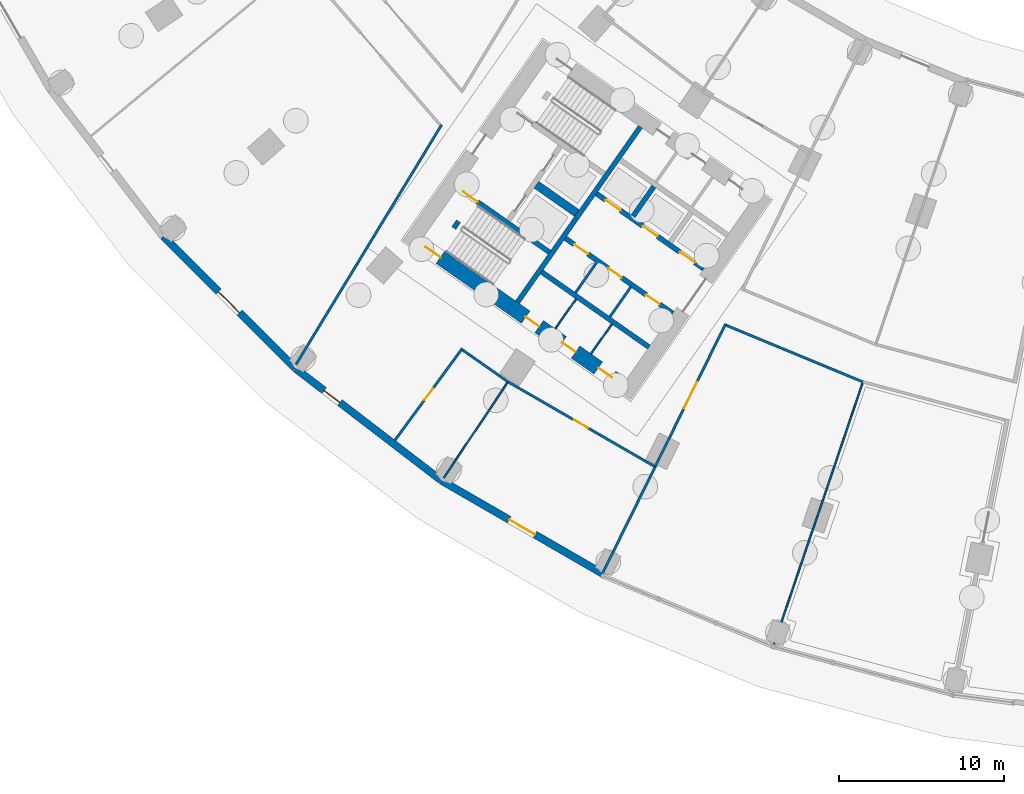
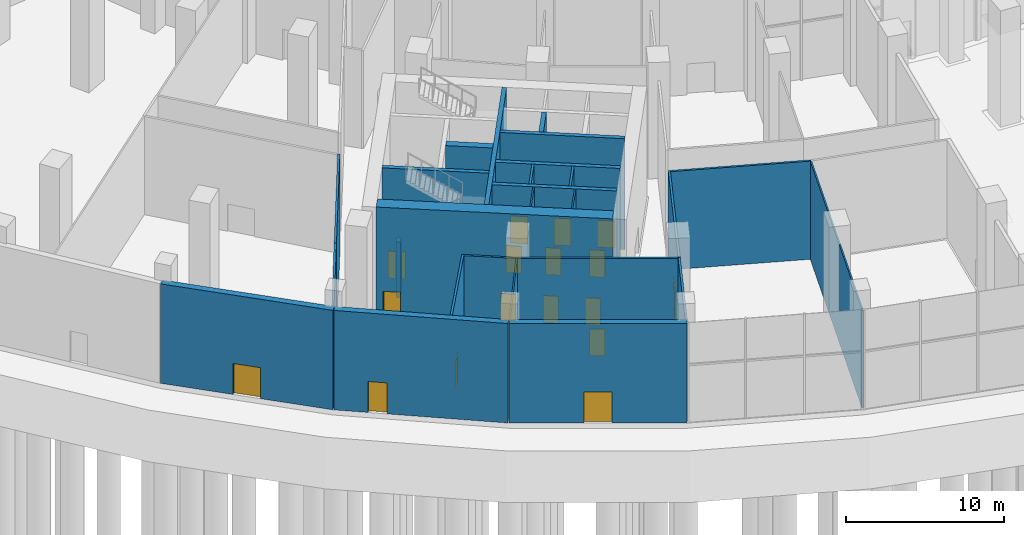
# One storey, part 4 of 23: 26 walls, 17 doors, 17 openings.
"""IFC4 building model written with IfcOpenShell, lengths in metres."""

import ifcopenshell
import ifcopenshell.guid

model = None  # the IFC model being written
_history = None  # IfcOwnerHistory: only IFC2X3 demands one
_inside = {}  # id of a spatial element -> (the spatial element, [elements in it])
_under = {}  # id of a project, library or spatial element -> (it, [spatial elements below it])
_declared = {}  # id of a project -> (the project, [libraries it declares])
_typed = {}  # id of a type object -> (the type object, [elements of that type])
_made_of = {}  # id of a material, layer set ... -> (it, [elements and type objects made of it])


def new_model(schema):
    """Start an empty IFC model of exactly this schema.

    Asked for "IFC4X3", IfcOpenShell would pick the latest addendum, in which some entities
    have other attributes; the version numbers below select the first issue.
    IFC2X3 requires an IfcOwnerHistory on every rooted entity: one is made here for all.
    """
    global model, _history
    if schema == "IFC4X3":
        model = ifcopenshell.file(schema_version=(4, 3, 0, 0))
    else:
        model = ifcopenshell.file(schema=schema)
    _inside.clear()
    _under.clear()
    _declared.clear()
    _typed.clear()
    _made_of.clear()
    _history = None
    if model.schema == "IFC2X3":
        org = make("IfcOrganization", Name="unknown")
        user = make(
            "IfcPersonAndOrganization",
            ThePerson=make("IfcPerson", FamilyName="unknown"),
            TheOrganization=org,
        )
        app = make(
            "IfcApplication",
            ApplicationDeveloper=org,
            Version="unknown",
            ApplicationFullName="unknown",
            ApplicationIdentifier="unknown",
        )
        _history = make(
            "IfcOwnerHistory",
            OwningUser=user,
            OwningApplication=app,
            ChangeAction="ADDED",
            CreationDate=0,
        )
    return model


def make(cls, **values):
    """One entity of the class cls with the attributes given. An attribute that is None is left unset."""
    return model.create_entity(
        cls, **{name: value for name, value in values.items() if value is not None}
    )


def rooted(cls, **values):
    """An entity with a GlobalId (a new one), such as an element, a storey or a relation."""
    return make(cls, GlobalId=ifcopenshell.guid.new(), OwnerHistory=_history, **values)


def si_unit(unit_type, name, prefix=None):
    """IfcSIUnit, for example si_unit("LENGTHUNIT", "METRE", prefix="MILLI")."""
    return make("IfcSIUnit", UnitType=unit_type, Prefix=prefix, Name=name)


def assignment(units):
    """IfcUnitAssignment: the units of a project."""
    return None if units is None else make("IfcUnitAssignment", Units=units)


def point(xyz):
    """IfcCartesianPoint."""
    return None if xyz is None else make("IfcCartesianPoint", Coordinates=xyz)


def direction(xyz):
    """IfcDirection."""
    return None if xyz is None else make("IfcDirection", DirectionRatios=xyz)


def frame(location, z_axis=None, x_axis=None):
    """IfcAxis2Placement3D, a coordinate frame: its origin and axes. An axis left out is left unset."""
    return make(
        "IfcAxis2Placement3D",
        Location=point(location),
        Axis=direction(z_axis),
        RefDirection=direction(x_axis),
    )


def frame_2d(location, x_axis=None):
    """IfcAxis2Placement2D, a coordinate frame in the plane: its origin and x axis."""
    return make(
        "IfcAxis2Placement2D", Location=point(location), RefDirection=direction(x_axis)
    )


def origin():
    """The frame at (0, 0, 0) with its axes left unset."""
    return frame((0.0, 0.0, 0.0))


def place(relative_to, where):
    """IfcLocalPlacement: puts the frame where relative to a parent placement (None: the world)."""
    return make(
        "IfcLocalPlacement", PlacementRelTo=relative_to, RelativePlacement=where
    )


def context(
    kind, dimensions, precision=None, world=None, true_north=None, identifier=None
):
    """IfcGeometricRepresentationContext, for example the 3D "Model" context."""
    return make(
        "IfcGeometricRepresentationContext",
        ContextIdentifier=identifier,
        ContextType=kind,
        CoordinateSpaceDimension=dimensions,
        Precision=precision,
        WorldCoordinateSystem=world,
        TrueNorth=true_north,
    )


def subcontext(parent, identifier, kind, view, scale=None):
    """IfcGeometricRepresentationSubContext, for example "Body" below "Model"."""
    return make(
        "IfcGeometricRepresentationSubContext",
        ContextIdentifier=identifier,
        ContextType=kind,
        ParentContext=parent,
        TargetScale=scale,
        TargetView=view,
    )


def project(units=None, contexts=None):
    """IfcProject with its units and contexts."""
    return rooted(
        "IfcProject",
        Name="project",
        RepresentationContexts=contexts,
        UnitsInContext=assignment(units),
    )


def spatial(cls, under=None, at=None, **own):
    """A site, building, storey or space (cls), placed at a placement, below another one or the project."""
    s = rooted(cls, ObjectPlacement=at, **own)
    if under is not None:
        _under.setdefault(under.id(), (under, []))[1].append(s)
    return s


def profile(cls, at=None, kind="AREA", **sizes):
    """A parametric profile (cls). Its sizes go by their IFC names, for example OverallWidth=200.0."""
    return make(cls, ProfileType=kind, Position=at, **sizes)


def rectangle(**sizes):
    """IfcRectangleProfileDef."""
    return profile("IfcRectangleProfileDef", **sizes)


def extrude(swept, where, along, depth):
    """IfcExtrudedAreaSolid: the profile swept, set in the frame where, extruded along a direction by depth."""
    return make(
        "IfcExtrudedAreaSolid",
        SweptArea=swept,
        Position=where,
        ExtrudedDirection=direction(along),
        Depth=depth,
    )


def shape(context_of_items, identifier, shape_type, items):
    """IfcShapeRepresentation: the items that make up one representation, for example the "Body"."""
    return make(
        "IfcShapeRepresentation",
        ContextOfItems=context_of_items,
        RepresentationIdentifier=identifier,
        RepresentationType=shape_type,
        Items=items,
    )


def material(Name=None, Category=None):
    """IfcMaterial."""
    return make("IfcMaterial", Name=Name, Category=Category)


def layer(
    of_material, thickness, ventilated=None, Name=None, Category=None, Priority=None
):
    """IfcMaterialLayer: one layer of a wall or slab, of a material (None: an air gap)."""
    return make(
        "IfcMaterialLayer",
        Material=of_material,
        LayerThickness=thickness,
        IsVentilated=ventilated,
        Name=Name,
        Category=Category,
        Priority=Priority,
    )


def layer_set(layers, Name=None):
    """IfcMaterialLayerSet."""
    return make("IfcMaterialLayerSet", MaterialLayers=layers, LayerSetName=Name)


def made_of(thing, what):
    """Note that an element or type object is made of a material, layer set ...; save() writes the relation."""
    if what is not None:
        _made_of.setdefault(what.id(), (what, []))[1].append(thing)
    return thing


def type_object(cls, material=None, **own):
    """A type object (cls), such as IfcWallType, which elements share."""
    return made_of(rooted(cls, **own), material)


def element(
    cls,
    number,
    at=None,
    inside=None,
    cuts=None,
    type_object=None,
    material=None,
    context=None,
    identifier="Body",
    shape_type=None,
    held_by="IfcProductDefinitionShape",
    body=None,
    shapes=None,
    **own,
):
    """One element of the class cls, such as IfcWall. Its Tag is "e" and its number.

    at: its placement. inside: the storey or other place that contains it. cuts: it is an
    opening in that element (IfcRelVoidsElement). A single representation is given by context,
    identifier, shape_type and body (its items); several are given by shapes. held_by: the class
    of the entity that holds the representations. save() writes the other relations.
    """
    e = rooted(cls, Tag="e%d" % number, ObjectPlacement=at, **own)
    if body is not None:
        shapes = [shape(context, identifier, shape_type, body)]
    if shapes is not None:
        e.Representation = make(held_by, Representations=shapes)
    if inside is not None:
        _inside.setdefault(inside.id(), (inside, []))[1].append(e)
    if cuts is not None:
        rooted(
            "IfcRelVoidsElement", RelatingBuildingElement=cuts, RelatedOpeningElement=e
        )
    if type_object is not None:
        _typed.setdefault(type_object.id(), (type_object, []))[1].append(e)
    return made_of(e, material)


def fill(opening, filler):
    """IfcRelFillsElement: the door or window that sits in an opening."""
    return rooted(
        "IfcRelFillsElement",
        RelatingOpeningElement=opening,
        RelatedBuildingElement=filler,
    )


def aggregate(whole, parts):
    """IfcRelAggregates: a whole, such as a stair, and the parts it consists of."""
    return rooted("IfcRelAggregates", RelatingObject=whole, RelatedObjects=parts)


def save(model, path):
    """Write the relations noted so far, then the file.

    IfcRelAggregates (storeys below a building ...), IfcRelContainedInSpatialStructure (elements
    in a storey), IfcRelDefinesByType, IfcRelAssociatesMaterial and IfcRelDeclares: one each for
    every whole, place, type object, material and project.
    """
    for whole, parts in _under.values():
        aggregate(whole, parts)
    for where, things in _inside.values():
        rooted(
            "IfcRelContainedInSpatialStructure",
            RelatedElements=things,
            RelatingStructure=where,
        )
    for kind, things in _typed.values():
        rooted("IfcRelDefinesByType", RelatedObjects=things, RelatingType=kind)
    for what, things in _made_of.values():
        rooted("IfcRelAssociatesMaterial", RelatedObjects=things, RelatingMaterial=what)
    for by, libraries in _declared.values():
        rooted("IfcRelDeclares", RelatingContext=by, RelatedDefinitions=libraries)
    model.write(path)


model = new_model("IFC4")

# Units and contexts
model_context = context("Model", 3, precision=1e-05, world=origin(), true_north=direction((0.0, 1.0)))
body_context = subcontext(model_context, "Body", "Model", "MODEL_VIEW")
ifc_project = project(units=[si_unit("LENGTHUNIT", "METRE"), si_unit("AREAUNIT", "SQUARE_METRE"), si_unit("VOLUMEUNIT", "CUBIC_METRE"), si_unit("PLANEANGLEUNIT", "RADIAN"), si_unit("MASSUNIT", "GRAM", prefix="KILO")], contexts=[model_context])

# Site, building, storey
site_placement = place(None, origin())
site = spatial("IfcSite", under=ifc_project, at=site_placement, CompositionType="ELEMENT")
building_placement = place(site_placement, origin())
building = spatial("IfcBuilding", under=site, at=building_placement, Name="Qamariyya Broadcast Tower", CompositionType="ELEMENT")
storey_placement = place(building_placement, origin())
storey = spatial("IfcBuildingStorey", under=building, at=storey_placement, Name="L00", CompositionType="ELEMENT", Elevation=0.0)

# Wall, openings, doors
ifc_material_1 = material(Name="Concrete C70/85", Category="concrete")
ifc_layer_1 = layer(ifc_material_1, 0.89990234375)
ifc_layer_set_1 = layer_set([ifc_layer_1], Name="Core wall 900 mm Concrete C70/85")
wall_type_1 = type_object("IfcWallType", Name="Core wall 900 mm Concrete C70/85", PredefinedType="SHEAR", material=ifc_layer_set_1)
wall_1_placement = place(storey_placement, frame((-36.827392578125, -65.710205078125, 0.0), z_axis=(0.0, 0.0, 1.0), x_axis=(-0.819153391756, 0.573574511963, 0.0)))
wall_1 = element("IfcWall", 1, at=wall_1_placement, inside=storey, type_object=wall_type_1, Name="k-W-L00-WO", PredefinedType="SHEAR", context=body_context, shape_type="SweptSolid", body=[
    extrude(rectangle(XDim=15.04541015625, YDim=0.89990234375, at=frame_2d((7.522705078125, 0.0))), origin(), (0.0, 0.0, 1.0), 8.60009765625),
])
opening_1_placement = place(wall_1_placement, frame((0.800048828125, 0.0, 0.0)))
opening_1 = element("IfcOpeningElement", 2, at=opening_1_placement, cuts=wall_1, Name="Opening KD4-W2", PredefinedType="OPENING", context=body_context, shape_type="SweptSolid", body=[
    extrude(rectangle(XDim=1.0, YDim=2.10009765625, at=frame_2d((0.5, 1.050048828125))), frame((0.0, 0.4599609375, 0.0), z_axis=(0.0, -1.0, 0.0), x_axis=(1.0, 0.0, 0.0)), (0.0, 0.0, 1.0), 0.919921875),
])
opening_2_placement = place(wall_1_placement, frame((3.47509765625, 0.0, 0.0)))
opening_2 = element("IfcOpeningElement", 3, at=opening_2_placement, cuts=wall_1, Name="Opening KD4-W3", PredefinedType="OPENING", context=body_context, shape_type="SweptSolid", body=[
    extrude(rectangle(XDim=1.0, YDim=2.10009765625, at=frame_2d((0.5, 1.050048828125))), frame((0.0, 0.4599609375, 0.0), z_axis=(0.0, -1.0, 0.0), x_axis=(1.0, 0.0, 0.0)), (0.0, 0.0, 1.0), 0.919921875),
])
opening_3_placement = place(wall_1_placement, frame((6.175048828125, 0.0, 0.0)))
opening_3 = element("IfcOpeningElement", 4, at=opening_3_placement, cuts=wall_1, Name="Opening KD4-W4", PredefinedType="OPENING", context=body_context, shape_type="SweptSolid", body=[
    extrude(rectangle(XDim=1.0, YDim=2.10009765625, at=frame_2d((0.5, 1.050048828125))), frame((0.0, 0.4599609375, 0.0), z_axis=(0.0, -1.0, 0.0), x_axis=(1.0, 0.0, 0.0)), (0.0, 0.0, 1.0), 0.919921875),
])
opening_4_placement = place(wall_1_placement, frame((13.495361328125, 0.0, 0.0)))
opening_4 = element("IfcOpeningElement", 5, at=opening_4_placement, cuts=wall_1, Name="Opening KD1-W3", PredefinedType="OPENING", context=body_context, shape_type="SweptSolid", body=[
    extrude(rectangle(XDim=1.10009765625, YDim=2.10009765625, at=frame_2d((0.550048828125, 1.050048828125))), frame((0.0, 0.4599609375, 0.0), z_axis=(0.0, -1.0, 0.0), x_axis=(1.0, 0.0, 0.0)), (0.0, 0.0, 1.0), 0.919921875),
])
ifc_material_2 = material(Name="Steel fire-resisting door leaf", Category="steel")
door_type_1 = type_object("IfcDoorType", Name="Riser and plant door KD4", OperationType="SINGLE_SWING_LEFT", PredefinedType="DOOR", material=ifc_material_2)
door_1_placement = place(opening_1_placement, origin())
door_1 = element("IfcDoor", 6, at=door_1_placement, inside=storey, type_object=door_type_1, Name="k-W-L00-WO-D11", OperationType="SINGLE_SWING_RIGHT", OverallHeight=2.10009765625, OverallWidth=1.0, PredefinedType="DOOR", context=body_context, shape_type="SweptSolid", body=[
    extrude(rectangle(XDim=1.0, YDim=2.10009765625, at=frame_2d((0.5, 1.050048828125))), frame((0.0, 0.02490234375, 0.0), z_axis=(0.0, -1.0, 0.0), x_axis=(1.0, 0.0, 0.0)), (0.0, 0.0, 1.0), 0.050048828125),
])
fill(opening_1, door_1)
door_2_placement = place(opening_2_placement, origin())
door_2 = element("IfcDoor", 7, at=door_2_placement, inside=storey, type_object=door_type_1, Name="k-W-L00-WO-D12", OperationType="SINGLE_SWING_LEFT", OverallHeight=2.10009765625, OverallWidth=1.0, PredefinedType="DOOR", context=body_context, shape_type="SweptSolid", body=[
    extrude(rectangle(XDim=1.0, YDim=2.10009765625, at=frame_2d((0.5, 1.050048828125))), frame((0.0, 0.02490234375, 0.0), z_axis=(0.0, -1.0, 0.0), x_axis=(1.0, 0.0, 0.0)), (0.0, 0.0, 1.0), 0.050048828125),
])
fill(opening_2, door_2)
door_3_placement = place(opening_3_placement, origin())
door_3 = element("IfcDoor", 8, at=door_3_placement, inside=storey, type_object=door_type_1, Name="k-W-L00-WO-D13", OperationType="SINGLE_SWING_RIGHT", OverallHeight=2.10009765625, OverallWidth=1.0, PredefinedType="DOOR", context=body_context, shape_type="SweptSolid", body=[
    extrude(rectangle(XDim=1.0, YDim=2.10009765625, at=frame_2d((0.5, 1.050048828125))), frame((0.0, 0.02490234375, 0.0), z_axis=(0.0, -1.0, 0.0), x_axis=(1.0, 0.0, 0.0)), (0.0, 0.0, 1.0), 0.050048828125),
])
fill(opening_3, door_3)
door_type_2 = type_object("IfcDoorType", Name="Stair door KD1", OperationType="SINGLE_SWING_LEFT", PredefinedType="DOOR", material=ifc_material_2)
door_4_placement = place(opening_4_placement, origin())
door_4 = element("IfcDoor", 9, at=door_4_placement, inside=storey, type_object=door_type_2, Name="k-W-L00-WO-D19", OperationType="SINGLE_SWING_LEFT", OverallHeight=2.10009765625, OverallWidth=1.10009765625, PredefinedType="DOOR", context=body_context, shape_type="SweptSolid", body=[
    extrude(rectangle(XDim=1.10009765625, YDim=2.10009765625, at=frame_2d((0.550048828125, 1.050048828125))), frame((0.0, 0.02490234375, 0.0), z_axis=(0.0, -1.0, 0.0), x_axis=(1.0, 0.0, 0.0)), (0.0, 0.0, 1.0), 0.050048828125),
])
fill(opening_4, door_4)

# Wall
ifc_material_3 = material(Name="Gypsum board partition")
ifc_layer_2 = layer(ifc_material_3, 0.14990234375)
ifc_layer_set_2 = layer_set([ifc_layer_2], Name="Corridor partition 150 EI 60")
wall_type_2 = type_object("IfcWallType", Name="Corridor partition 150 EI 60", PredefinedType="PARTITIONING", material=ifc_layer_set_2)
wall_2_placement = place(storey_placement, frame((-52.937255859375, -58.374267578125, 0.0), z_axis=(0.0, 0.0, 1.0), x_axis=(-0.519165960752, -0.854673449451, 0.0)))
element("IfcWall", 10, at=wall_2_placement, inside=storey, type_object=wall_type_2, Name="Partition L00-004", PredefinedType="PARTITIONING", context=body_context, shape_type="SweptSolid", body=[
    extrude(rectangle(XDim=7.12255859375, YDim=0.14990234375, at=frame_2d((3.561279296875, 0.0))), origin(), (0.0, 0.0, 1.0), 7.60009765625),
])

# Wall, opening, door
wall_3_placement = place(storey_placement, frame((-46.549072265625, -63.488525390625, 0.0), z_axis=(0.0, 0.0, 1.0), x_axis=(-0.591288618584, -0.806460023518, 0.0)))
wall_3 = element("IfcWall", 11, at=wall_3_placement, inside=storey, type_object=wall_type_2, Name="Partition L00-005", PredefinedType="PARTITIONING", context=body_context, shape_type="SweptSolid", body=[
    extrude(rectangle(XDim=6.9111328125, YDim=0.14990234375, at=frame_2d((3.45556640625, 0.0))), origin(), (0.0, 0.0, 1.0), 7.60009765625),
])
opening_5_placement = place(wall_3_placement, frame((3.00537109375, 0.0, 0.0)))
opening_5 = element("IfcOpeningElement", 12, at=opening_5_placement, cuts=wall_3, Name="Opening L00-D11", PredefinedType="OPENING", context=body_context, shape_type="SweptSolid", body=[
    extrude(rectangle(XDim=0.89990234375, YDim=2.10009765625, at=frame_2d((0.449951171875, 1.050048828125))), frame((0.0, 0.0849609375, 0.0), z_axis=(0.0, -1.0, 0.0), x_axis=(1.0, 0.0, 0.0)), (0.0, 0.0, 1.0), 0.169921875),
])
ifc_material_4 = material(Name="Timber fire door leaf", Category="wood")
door_type_3 = type_object("IfcDoorType", Name="Fire door 900 x 2100 FD60", OperationType="NOTDEFINED", PredefinedType="DOOR", material=ifc_material_4)
door_5_placement = place(opening_5_placement, origin())
door_5 = element("IfcDoor", 13, at=door_5_placement, inside=storey, type_object=door_type_3, Name="Door L00-D11", OperationType="SINGLE_SWING_RIGHT", OverallHeight=2.10009765625, OverallWidth=0.89990234375, PredefinedType="DOOR", context=body_context, shape_type="SweptSolid", body=[
    extrude(rectangle(XDim=0.89990234375, YDim=2.10009765625, at=frame_2d((0.449951171875, 1.050048828125))), frame((0.0, 0.02490234375, 0.0), z_axis=(0.0, -1.0, 0.0), x_axis=(1.0, 0.0, 0.0)), (0.0, 0.0, 1.0), 0.050048828125),
])
fill(opening_5, door_5)

# Walls
wall_4_placement = place(storey_placement, frame((-47.8076171875, -49.929443359375, 0.0), z_axis=(0.0, 0.0, 1.0), x_axis=(-0.51915296508, -0.854681343454, 0.0)))
element("IfcWall", 14, at=wall_4_placement, inside=storey, type_object=wall_type_2, Name="Partition L00-008", PredefinedType="PARTITIONING", context=body_context, shape_type="SweptSolid", body=[
    extrude(rectangle(XDim=9.874755859375, YDim=0.14990234375, at=frame_2d((4.9375, 0.0))), origin(), (0.0, 0.0, 1.0), 7.60009765625),
])
wall_5_placement = place(storey_placement, frame((-46.531982421875, -63.592041015625, 0.0), z_axis=(0.0, 0.0, 1.0), x_axis=(0.819136350291, -0.573598849051, 0.0)))
element("IfcWall", 15, at=wall_5_placement, inside=storey, type_object=wall_type_2, Name="Partition L00-009", PredefinedType="PARTITIONING", context=body_context, shape_type="SweptSolid", body=[
    extrude(rectangle(XDim=3.36083984375, YDim=0.14990234375, at=frame_2d((1.680419921875, 0.0))), origin(), (0.0, 0.0, 1.0), 7.60009765625),
])

# Wall, opening, door
wall_6_placement = place(storey_placement, frame((-34.917236328125, -70.635986328125, 0.0), z_axis=(0.0, 0.0, 1.0), x_axis=(-0.866032223049, 0.499988188501, 0.0)))
wall_6 = element("IfcWall", 16, at=wall_6_placement, inside=storey, type_object=wall_type_2, Name="Partition L00-011", PredefinedType="PARTITIONING", context=body_context, shape_type="SweptSolid", body=[
    extrude(rectangle(XDim=10.232666015625, YDim=0.14990234375, at=frame_2d((5.1162109375, 0.0))), origin(), (0.0, 0.0, 1.0), 7.60009765625),
])
opening_6_placement = place(wall_6_placement, frame((4.6162109375, 0.0, 0.0)))
opening_6 = element("IfcOpeningElement", 17, at=opening_6_placement, cuts=wall_6, Name="Opening L00-D12", PredefinedType="OPENING", context=body_context, shape_type="SweptSolid", body=[
    extrude(rectangle(XDim=1.0, YDim=2.10009765625, at=frame_2d((0.5, 1.050048828125))), frame((0.0, 0.0849609375, 0.0), z_axis=(0.0, -1.0, 0.0), x_axis=(1.0, 0.0, 0.0)), (0.0, 0.0, 1.0), 0.169921875),
])
door_type_4 = type_object("IfcDoorType", Name="Fire door 1000 x 2100 FD60", OperationType="NOTDEFINED", PredefinedType="DOOR", material=ifc_material_4)
door_6_placement = place(opening_6_placement, origin())
door_6 = element("IfcDoor", 18, at=door_6_placement, inside=storey, type_object=door_type_4, Name="Door L00-D12", OperationType="SINGLE_SWING_RIGHT", OverallHeight=2.10009765625, OverallWidth=1.0, PredefinedType="DOOR", context=body_context, shape_type="SweptSolid", body=[
    extrude(rectangle(XDim=1.0, YDim=2.10009765625, at=frame_2d((0.5, 1.050048828125))), frame((0.0, 0.02490234375, 0.0), z_axis=(0.0, -1.0, 0.0), x_axis=(1.0, 0.0, 0.0)), (0.0, 0.0, 1.0), 0.050048828125),
])
fill(opening_6, door_6)

# Wall
wall_7_placement = place(storey_placement, frame((-34.852294921875, -70.673583984375, 0.0), z_axis=(0.0, 0.0, 1.0), x_axis=(-0.442303616305, -0.896865380647, 0.0)))
element("IfcWall", 19, at=wall_7_placement, inside=storey, type_object=wall_type_2, Name="Partition L00-017", PredefinedType="PARTITIONING", context=body_context, shape_type="SweptSolid", body=[
    extrude(rectangle(XDim=7.249755859375, YDim=0.14990234375, at=frame_2d((3.625, 0.0))), origin(), (0.0, 0.0, 1.0), 7.60009765625),
])

# Wall, opening, door
wall_8_placement = place(storey_placement, frame((-30.5732421875, -61.996337890625, 0.0), z_axis=(0.0, 0.0, 1.0), x_axis=(-0.442281083907, -0.89687649251, 0.0)))
wall_8 = element("IfcWall", 20, at=wall_8_placement, inside=storey, type_object=wall_type_2, Name="Partition L00-020", PredefinedType="PARTITIONING", context=body_context, shape_type="SweptSolid", body=[
    extrude(rectangle(XDim=9.675048828125, YDim=0.14990234375, at=frame_2d((4.83740234375, 0.0))), origin(), (0.0, 0.0, 1.0), 7.60009765625),
])
opening_7_placement = place(wall_8_placement, frame((3.9375, 0.0, 0.0)))
opening_7 = element("IfcOpeningElement", 21, at=opening_7_placement, cuts=wall_8, Name="Opening L00-D01", PredefinedType="OPENING", context=body_context, shape_type="SweptSolid", body=[
    extrude(rectangle(XDim=1.800048828125, YDim=2.10009765625, at=frame_2d((0.89990234375, 1.050048828125))), frame((0.0, 0.0849609375, 0.0), z_axis=(0.0, -1.0, 0.0), x_axis=(1.0, 0.0, 0.0)), (0.0, 0.0, 1.0), 0.169921875),
])
door_type_5 = type_object("IfcDoorType", Name="Double fire door 1800 x 2100 FD60", OperationType="NOTDEFINED", PredefinedType="DOOR", material=ifc_material_4)
door_7_placement = place(opening_7_placement, origin())
door_7 = element("IfcDoor", 22, at=door_7_placement, inside=storey, type_object=door_type_5, Name="Door L00-D01", OperationType="DOUBLE_DOOR_SINGLE_SWING", OverallHeight=2.10009765625, OverallWidth=1.800048828125, PredefinedType="DOOR", context=body_context, shape_type="SweptSolid", body=[
    extrude(rectangle(XDim=1.800048828125, YDim=2.10009765625, at=frame_2d((0.89990234375, 1.050048828125))), frame((0.0, 0.02490234375, 0.0), z_axis=(0.0, -1.0, 0.0), x_axis=(1.0, 0.0, 0.0)), (0.0, 0.0, 1.0), 0.050048828125),
])
fill(opening_7, door_7)

# Walls
wall_9_placement = place(storey_placement, frame((-30.537109375, -62.09228515625, 0.0), z_axis=(0.0, 0.0, 1.0), x_axis=(0.923877943186, -0.382687269313, 0.0)))
element("IfcWall", 23, at=wall_9_placement, inside=storey, type_object=wall_type_2, Name="Partition L00-021", PredefinedType="PARTITIONING", context=body_context, shape_type="SweptSolid", body=[
    extrude(rectangle(XDim=8.976806640625, YDim=0.14990234375, at=frame_2d((4.48828125, 0.0))), origin(), (0.0, 0.0, 1.0), 7.60009765625),
])
ifc_material_5 = material(Name="Concrete C60/75", Category="concrete")
ifc_layer_3 = layer(ifc_material_5, 0.5)
ifc_layer_set_3 = layer_set([ifc_layer_3], Name="Fire-fighting lobby divider wall 500 mm Concrete C60/75")
wall_type_3 = type_object("IfcWallType", Name="Fire-fighting lobby divider wall 500 mm Concrete C60/75", PredefinedType="SOLIDWALL", material=ifc_layer_set_3)
wall_10_placement = place(storey_placement, frame((-39.59912109375, -55.28515625, 0.0), z_axis=(0.0, 0.0, 1.0), x_axis=(-0.819136323161, 0.573598887793, 0.0)))
element("IfcWall", 24, at=wall_10_placement, inside=storey, type_object=wall_type_3, Name="k-W-L00-FD", PredefinedType="SOLIDWALL", context=body_context, shape_type="SweptSolid", body=[
    extrude(rectangle(XDim=2.999755859375, YDim=0.5, at=frame_2d((1.5, 0.0))), origin(), (0.0, 0.0, 1.0), 8.60009765625),
])
ifc_material_6 = material(Name="Gypsum board partition on steel studs", Category="steel")
ifc_layer_4 = layer(ifc_material_6, 0.14990234375)
ifc_layer_set_4 = layer_set([ifc_layer_4], Name="Gypsum board partition 150 mm")
wall_type_4 = type_object("IfcWallType", Name="Gypsum board partition 150 mm", PredefinedType="PARTITIONING", material=ifc_layer_set_4)
for number, where, z_axis, x_axis, name in (
    (25, (-36.330810546875, -59.77099609375, 0.0), (0.0, 0.0, 1.0), (-0.573633636671, -0.819111989218, 0.0), "k-W-L00-SC300"),
    (26, (-38.419677734375, -58.308349609375, 0.0), (0.0, 0.0, 1.0), (-0.573633636671, -0.819111989218, 0.0), "k-W-L00-SC555"),
):
    element("IfcWall", number, at=place(storey_placement, frame(where, z_axis=z_axis, x_axis=x_axis)), inside=storey, type_object=wall_type_4, Name=name, PredefinedType="PARTITIONING", context=body_context, shape_type="SweptSolid", body=[
        extrude(rectangle(XDim=2.199951171875, YDim=0.14990234375, at=frame_2d((1.10009765625, 0.0))), origin(), (0.0, 0.0, 1.0), 8.60009765625),
    ])
ifc_layer_5 = layer(ifc_material_5, 0.300048828125)
ifc_layer_set_5 = layer_set([ifc_layer_5], Name="Lift shaft wall 300 mm Concrete C60/75")
wall_type_5 = type_object("IfcWallType", Name="Lift shaft wall 300 mm Concrete C60/75", PredefinedType="SOLIDWALL", material=ifc_layer_set_5)
wall_11_placement = place(storey_placement, frame((-43.204345703125, -60.69580078125, 0.0), z_axis=(0.0, 0.0, 1.0), x_axis=(0.573571992966, 0.819155155563, 0.0)))
element("IfcWall", 27, at=wall_11_placement, inside=storey, type_object=wall_type_5, Name="k-W-L00-WL", PredefinedType="SOLIDWALL", context=body_context, shape_type="SweptSolid", body=[
    extrude(rectangle(XDim=13.000244140625, YDim=0.300048828125, at=frame_2d((6.5, 0.0))), origin(), (0.0, 0.0, 1.0), 8.60009765625),
])

# Wall, openings, doors
wall_12_placement = place(storey_placement, frame((-31.89453125, -58.66552734375, 0.0), z_axis=(0.0, 0.0, 1.0), x_axis=(-0.819166993208, 0.573555086491, 0.0)))
wall_12 = element("IfcWall", 28, at=wall_12_placement, inside=storey, type_object=wall_type_5, Name="k-W-L00-NF0", PredefinedType="SOLIDWALL", context=body_context, shape_type="SweptSolid", body=[
    extrude(rectangle(XDim=7.9501953125, YDim=0.300048828125, at=frame_2d((3.97509765625, 0.0))), origin(), (0.0, 0.0, 1.0), 8.60009765625),
])
opening_8_placement = place(wall_12_placement, frame((0.675048828125, 0.0, 0.0)))
opening_8 = element("IfcOpeningElement", 29, at=opening_8_placement, cuts=wall_12, Name="Opening LD", PredefinedType="OPENING", context=body_context, shape_type="SweptSolid", body=[
    extrude(rectangle(XDim=1.10009765625, YDim=2.10009765625, at=frame_2d((0.550048828125, 1.050048828125))), frame((0.0, 0.159912109375, 0.0), z_axis=(0.0, -1.0, 0.0), x_axis=(1.0, 0.0, 0.0)), (0.0, 0.0, 1.0), 0.320068359375),
])
opening_9_placement = place(wall_12_placement, frame((3.425048828125, 0.0, 0.0)))
opening_9 = element("IfcOpeningElement", 30, at=opening_9_placement, cuts=wall_12, Name="Opening LD", PredefinedType="OPENING", context=body_context, shape_type="SweptSolid", body=[
    extrude(rectangle(XDim=1.10009765625, YDim=2.10009765625, at=frame_2d((0.550048828125, 1.050048828125))), frame((0.0, 0.159912109375, 0.0), z_axis=(0.0, -1.0, 0.0), x_axis=(1.0, 0.0, 0.0)), (0.0, 0.0, 1.0), 0.320068359375),
])
opening_10_placement = place(wall_12_placement, frame((6.175048828125, 0.0, 0.0)))
opening_10 = element("IfcOpeningElement", 31, at=opening_10_placement, cuts=wall_12, Name="Opening LD", PredefinedType="OPENING", context=body_context, shape_type="SweptSolid", body=[
    extrude(rectangle(XDim=1.10009765625, YDim=2.10009765625, at=frame_2d((0.550048828125, 1.050048828125))), frame((0.0, 0.159912109375, 0.0), z_axis=(0.0, -1.0, 0.0), x_axis=(1.0, 0.0, 0.0)), (0.0, 0.0, 1.0), 0.320068359375),
])
door_type_6 = type_object("IfcDoorType", Name="Lift landing door LD", OperationType="DOUBLE_DOOR_SLIDING", PredefinedType="DOOR", material=ifc_material_2)
door_8_placement = place(opening_8_placement, origin())
door_8 = element("IfcDoor", 32, at=door_8_placement, inside=storey, type_object=door_type_6, Name="k-W-L00-NF0-D2", OperationType="DOUBLE_DOOR_SLIDING", OverallHeight=2.10009765625, OverallWidth=1.10009765625, PredefinedType="DOOR", context=body_context, shape_type="SweptSolid", body=[
    extrude(rectangle(XDim=1.10009765625, YDim=2.10009765625, at=frame_2d((0.550048828125, 1.050048828125))), frame((0.0, 0.02490234375, 0.0), z_axis=(0.0, -1.0, 0.0), x_axis=(1.0, 0.0, 0.0)), (0.0, 0.0, 1.0), 0.050048828125),
])
fill(opening_8, door_8)
door_9_placement = place(opening_9_placement, origin())
door_9 = element("IfcDoor", 33, at=door_9_placement, inside=storey, type_object=door_type_6, Name="k-W-L00-NF0-D3", OperationType="DOUBLE_DOOR_SLIDING", OverallHeight=2.10009765625, OverallWidth=1.10009765625, PredefinedType="DOOR", context=body_context, shape_type="SweptSolid", body=[
    extrude(rectangle(XDim=1.10009765625, YDim=2.10009765625, at=frame_2d((0.550048828125, 1.050048828125))), frame((0.0, 0.02490234375, 0.0), z_axis=(0.0, -1.0, 0.0), x_axis=(1.0, 0.0, 0.0)), (0.0, 0.0, 1.0), 0.050048828125),
])
fill(opening_9, door_9)
door_10_placement = place(opening_10_placement, origin())
door_10 = element("IfcDoor", 34, at=door_10_placement, inside=storey, type_object=door_type_6, Name="k-W-L00-NF0-D4", OperationType="DOUBLE_DOOR_SLIDING", OverallHeight=2.10009765625, OverallWidth=1.10009765625, PredefinedType="DOOR", context=body_context, shape_type="SweptSolid", body=[
    extrude(rectangle(XDim=1.10009765625, YDim=2.10009765625, at=frame_2d((0.550048828125, 1.050048828125))), frame((0.0, 0.02490234375, 0.0), z_axis=(0.0, -1.0, 0.0), x_axis=(1.0, 0.0, 0.0)), (0.0, 0.0, 1.0), 0.050048828125),
])
fill(opening_10, door_10)

# Wall
wall_13_placement = place(storey_placement, frame((-36.19091796875, -55.47412109375, 0.0), z_axis=(0.0, 0.0, 1.0), x_axis=(0.573507030513, 0.819200638399, 0.0)))
element("IfcWall", 35, at=wall_13_placement, inside=storey, type_object=wall_type_5, Name="k-W-L00-ND1", PredefinedType="SOLIDWALL", context=body_context, shape_type="SweptSolid", body=[
    extrude(rectangle(XDim=2.199951171875, YDim=0.300048828125, at=frame_2d((1.10009765625, 0.0))), origin(), (0.0, 0.0, 1.0), 8.60009765625),
])

# Wall, openings, doors
wall_14_placement = place(storey_placement, frame((-33.787353515625, -61.368896484375, 0.0), z_axis=(0.0, 0.0, 1.0), x_axis=(-0.819152564888, 0.573575692858, 0.0)))
wall_14 = element("IfcWall", 36, at=wall_14_placement, inside=storey, type_object=wall_type_5, Name="k-W-L00-SF0", PredefinedType="SOLIDWALL", context=body_context, shape_type="SweptSolid", body=[
    extrude(rectangle(XDim=7.9501953125, YDim=0.300048828125, at=frame_2d((3.97509765625, 0.0))), origin(), (0.0, 0.0, 1.0), 8.60009765625),
])
opening_11_placement = place(wall_14_placement, frame((0.96240234375, 0.0, 0.0)))
opening_11 = element("IfcOpeningElement", 37, at=opening_11_placement, cuts=wall_14, Name="Opening KD6-W1", PredefinedType="OPENING", context=body_context, shape_type="SweptSolid", body=[
    extrude(rectangle(XDim=1.0, YDim=2.10009765625, at=frame_2d((0.5, 1.050048828125))), frame((0.0, 0.159912109375, 0.0), z_axis=(0.0, -1.0, 0.0), x_axis=(1.0, 0.0, 0.0)), (0.0, 0.0, 1.0), 0.320068359375),
])
opening_12_placement = place(wall_14_placement, frame((3.77490234375, 0.0, 0.0)))
opening_12 = element("IfcOpeningElement", 38, at=opening_12_placement, cuts=wall_14, Name="Opening KD4-W1", PredefinedType="OPENING", context=body_context, shape_type="SweptSolid", body=[
    extrude(rectangle(XDim=1.0, YDim=2.10009765625, at=frame_2d((0.5, 1.050048828125))), frame((0.0, 0.159912109375, 0.0), z_axis=(0.0, -1.0, 0.0), x_axis=(1.0, 0.0, 0.0)), (0.0, 0.0, 1.0), 0.320068359375),
])
opening_13_placement = place(wall_14_placement, frame((6.28759765625, 0.0, 0.0)))
opening_13 = element("IfcOpeningElement", 39, at=opening_13_placement, cuts=wall_14, Name="Opening KD6-W2", PredefinedType="OPENING", context=body_context, shape_type="SweptSolid", body=[
    extrude(rectangle(XDim=1.0, YDim=2.10009765625, at=frame_2d((0.5, 1.050048828125))), frame((0.0, 0.159912109375, 0.0), z_axis=(0.0, -1.0, 0.0), x_axis=(1.0, 0.0, 0.0)), (0.0, 0.0, 1.0), 0.320068359375),
])
door_type_7 = type_object("IfcDoorType", Name="Core room door KD6", OperationType="SINGLE_SWING_LEFT", PredefinedType="DOOR", material=ifc_material_2)
door_11_placement = place(opening_11_placement, origin())
door_11 = element("IfcDoor", 40, at=door_11_placement, inside=storey, type_object=door_type_7, Name="k-W-L00-SF0-D5", OperationType="SINGLE_SWING_RIGHT", OverallHeight=2.10009765625, OverallWidth=1.0, PredefinedType="DOOR", context=body_context, shape_type="SweptSolid", body=[
    extrude(rectangle(XDim=1.0, YDim=2.10009765625, at=frame_2d((0.5, 1.050048828125))), frame((0.0, 0.02490234375, 0.0), z_axis=(0.0, -1.0, 0.0), x_axis=(1.0, 0.0, 0.0)), (0.0, 0.0, 1.0), 0.050048828125),
])
fill(opening_11, door_11)
door_12_placement = place(opening_13_placement, origin())
door_12 = element("IfcDoor", 41, at=door_12_placement, inside=storey, type_object=door_type_7, Name="k-W-L00-SF0-D7", OperationType="SINGLE_SWING_RIGHT", OverallHeight=2.10009765625, OverallWidth=1.0, PredefinedType="DOOR", context=body_context, shape_type="SweptSolid", body=[
    extrude(rectangle(XDim=1.0, YDim=2.10009765625, at=frame_2d((0.5, 1.050048828125))), frame((0.0, 0.02490234375, 0.0), z_axis=(0.0, -1.0, 0.0), x_axis=(1.0, 0.0, 0.0)), (0.0, 0.0, 1.0), 0.050048828125),
])
fill(opening_13, door_12)
door_13_placement = place(opening_12_placement, origin())
door_13 = element("IfcDoor", 42, at=door_13_placement, inside=storey, type_object=door_type_1, Name="k-W-L00-SF0-D6", OperationType="SINGLE_SWING_LEFT", OverallHeight=2.10009765625, OverallWidth=1.0, PredefinedType="DOOR", context=body_context, shape_type="SweptSolid", body=[
    extrude(rectangle(XDim=1.0, YDim=2.10009765625, at=frame_2d((0.5, 1.050048828125))), frame((0.0, 0.02490234375, 0.0), z_axis=(0.0, -1.0, 0.0), x_axis=(1.0, 0.0, 0.0)), (0.0, 0.0, 1.0), 0.050048828125),
])
fill(opening_12, door_13)

# Wall
wall_15_placement = place(storey_placement, frame((-35.22119140625, -63.41650390625, 0.0), z_axis=(0.0, 0.0, 1.0), x_axis=(-0.819166993208, 0.573555086491, 0.0)))
element("IfcWall", 43, at=wall_15_placement, inside=storey, type_object=wall_type_5, Name="k-W-L00-SB0", PredefinedType="SOLIDWALL", context=body_context, shape_type="SweptSolid", body=[
    extrude(rectangle(XDim=7.9501953125, YDim=0.300048828125, at=frame_2d((3.97509765625, 0.0))), origin(), (0.0, 0.0, 1.0), 8.60009765625),
])

# Wall, opening, door
wall_16_placement = place(storey_placement, frame((-41.262451171875, -57.66064453125, 0.0), z_axis=(0.0, 0.0, 1.0), x_axis=(-0.819164398642, 0.573558792102, 0.0)))
wall_16 = element("IfcWall", 44, at=wall_16_placement, inside=storey, type_object=wall_type_5, Name="k-W-L00-SW", PredefinedType="SOLIDWALL", context=body_context, shape_type="SweptSolid", body=[
    extrude(rectangle(XDim=6.795166015625, YDim=0.300048828125, at=frame_2d((3.3974609375, 0.0))), origin(), (0.0, 0.0, 1.0), 8.60009765625),
])
opening_14_placement = place(wall_16_placement, frame((5.3203125, 0.0, 0.0)))
opening_14 = element("IfcOpeningElement", 45, at=opening_14_placement, cuts=wall_16, Name="Opening KD1-W4", PredefinedType="OPENING", context=body_context, shape_type="SweptSolid", body=[
    extrude(rectangle(XDim=1.10009765625, YDim=2.10009765625, at=frame_2d((0.550048828125, 1.050048828125))), frame((0.0, 0.159912109375, 0.0), z_axis=(0.0, -1.0, 0.0), x_axis=(1.0, 0.0, 0.0)), (0.0, 0.0, 1.0), 0.320068359375),
])
door_14_placement = place(opening_14_placement, origin())
door_14 = element("IfcDoor", 46, at=door_14_placement, inside=storey, type_object=door_type_2, Name="k-W-L00-SW-D20", OperationType="SINGLE_SWING_LEFT", OverallHeight=2.10009765625, OverallWidth=1.10009765625, PredefinedType="DOOR", context=body_context, shape_type="SweptSolid", body=[
    extrude(rectangle(XDim=1.10009765625, YDim=2.10009765625, at=frame_2d((0.550048828125, 1.050048828125))), frame((0.0, 0.02490234375, 0.0), z_axis=(0.0, -1.0, 0.0), x_axis=(1.0, 0.0, 0.0)), (0.0, 0.0, 1.0), 0.050048828125),
])
fill(opening_14, door_14)

# Walls
wall_17_placement = place(storey_placement, frame((-47.064697265625, -56.19189453125, 0.0), z_axis=(0.0, 0.0, 1.0), x_axis=(0.573822822947, 0.818979467304, 0.0)))
element("IfcWall", 47, at=wall_17_placement, inside=storey, type_object=wall_type_5, Name="k-W-L00-W1PR", PredefinedType="SOLIDWALL", context=body_context, shape_type="SweptSolid", body=[
    extrude(rectangle(XDim=0.5, YDim=0.300048828125, at=frame_2d((0.25, 0.0))), origin(), (0.0, 0.0, 1.0), 4.300048828125),
])
ifc_layer_6 = layer(ifc_material_3, 0.10009765625)
ifc_layer_set_6 = layer_set([ifc_layer_6], Name="Partition 100")
wall_type_6 = type_object("IfcWallType", Name="Partition 100", PredefinedType="PARTITIONING", material=ifc_layer_set_6)
wall_18_placement = place(storey_placement, frame((-47.66796875, -71.340087890625, 0.0), z_axis=(0.0, 0.0, 1.0), x_axis=(0.55558668503, 0.831458619185, 0.0)))
element("IfcWall", 48, at=wall_18_placement, inside=storey, type_object=wall_type_6, Name="Partition L00-006", PredefinedType="PARTITIONING", context=body_context, shape_type="SweptSolid", body=[
    extrude(rectangle(XDim=6.925048828125, YDim=0.10009765625, at=frame_2d((3.46240234375, 0.0))), origin(), (0.0, 0.0, 1.0), 7.60009765625),
])
wall_19_placement = place(storey_placement, frame((-27.65966796875, -81.48291015625, 0.0), z_axis=(0.0, 0.0, 1.0), x_axis=(0.321431987478, 0.946932667842, 0.0)))
element("IfcWall", 49, at=wall_19_placement, inside=storey, type_object=wall_type_6, Name="Partition L00-023", PredefinedType="PARTITIONING", context=body_context, shape_type="SweptSolid", body=[
    extrude(rectangle(XDim=16.7744140625, YDim=0.10009765625, at=frame_2d((8.38720703125, 0.0))), origin(), (0.0, 0.0, 1.0), 7.60009765625),
])

# Wall, opening, door
ifc_material_7 = material(Name="Precast concrete C40/50 with terracotta facing", Category="masonry")
ifc_layer_7 = layer(ifc_material_7, 0.449951171875)
ifc_layer_set_7 = layer_set([ifc_layer_7], Name="Precast concrete C40/50 wall 450, terracotta faced")
wall_type_7 = type_object("IfcWallType", Name="Precast concrete C40/50 wall 450, terracotta faced", PredefinedType="SOLIDWALL", material=ifc_layer_set_7)
wall_20_placement = place(storey_placement, frame((-64.69775390625, -56.69873046875, 0.0), z_axis=(0.0, 0.0, 1.0), x_axis=(0.707106781187, -0.707106781187, 0.0)))
wall_20 = element("IfcWall", 50, at=wall_20_placement, inside=storey, type_object=wall_type_7, Name="e-wl-L00-out40", PredefinedType="SOLIDWALL", context=body_context, shape_type="SweptSolid", body=[
    extrude(rectangle(XDim=11.312255859375, YDim=0.449951171875, at=frame_2d((5.65625, 0.0))), origin(), (0.0, 0.0, 1.0), 7.699951171875),
])
opening_15_placement = place(wall_20_placement, frame((4.75634765625, 0.0, 0.0)))
opening_15 = element("IfcOpeningElement", 51, at=opening_15_placement, cuts=wall_20, Name="Opening ED8", PredefinedType="OPENING", context=body_context, shape_type="SweptSolid", body=[
    extrude(rectangle(XDim=1.800048828125, YDim=2.39990234375, at=frame_2d((0.89990234375, 1.199951171875))), frame((0.0, 0.23486328125, 0.0), z_axis=(0.0, -1.0, 0.0), x_axis=(1.0, 0.0, 0.0)), (0.0, 0.0, 1.0), 0.469970703125),
])
ifc_material_8 = material(Name="Toughened glass in stainless steel frame", Category="steel")
door_type_8 = type_object("IfcDoorType", Name="Street exit door 1800 x 2400", OperationType="DOUBLE_DOOR_DOUBLE_SWING", PredefinedType="DOOR", material=ifc_material_8)
door_15_placement = place(opening_15_placement, origin())
door_15 = element("IfcDoor", 52, at=door_15_placement, inside=storey, type_object=door_type_8, Name="e-ed-L00-exit01-out04", OperationType="DOUBLE_DOOR_DOUBLE_SWING", OverallHeight=2.39990234375, OverallWidth=1.800048828125, PredefinedType="DOOR", context=body_context, shape_type="SweptSolid", body=[
    extrude(rectangle(XDim=1.800048828125, YDim=2.39990234375, at=frame_2d((0.89990234375, 1.199951171875))), frame((0.0, 0.02490234375, 0.0), z_axis=(0.0, -1.0, 0.0), x_axis=(1.0, 0.0, 0.0)), (0.0, 0.0, 1.0), 0.050048828125),
])
fill(opening_15, door_15)

wall_21_placement = place(storey_placement, frame((-56.673095703125, -64.712646484375, 0.0), z_axis=(0.0, 0.0, 1.0), x_axis=(0.793355377778, -0.608758773695, 0.0)))
wall_21 = element("IfcWall", 53, at=wall_21_placement, inside=storey, type_object=wall_type_7, Name="e-wl-L00-out50", PredefinedType="SOLIDWALL", context=body_context, shape_type="SweptSolid", body=[
    extrude(rectangle(XDim=11.134765625, YDim=0.449951171875, at=frame_2d((5.5673828125, 0.0))), origin(), (0.0, 0.0, 1.0), 7.699951171875),
])
opening_16_placement = place(wall_21_placement, frame((3.39599609375, 0.0, 0.0), z_axis=(0.0, 0.0, 1.0), x_axis=(-1.0, 0.0, 0.0)))
opening_16 = element("IfcOpeningElement", 54, at=opening_16_placement, cuts=wall_21, Name="Opening ED4", PredefinedType="OPENING", context=body_context, shape_type="SweptSolid", body=[
    extrude(rectangle(XDim=1.199951171875, YDim=2.39990234375, at=frame_2d((0.60009765625, 1.199951171875))), frame((0.0, 0.23486328125, 0.0), z_axis=(0.0, -1.0, 0.0), x_axis=(1.0, 0.0, 0.0)), (0.0, 0.0, 1.0), 0.469970703125),
])
door_type_9 = type_object("IfcDoorType", Name="Stair discharge door 1200 x 2400", OperationType="SINGLE_SWING_LEFT", PredefinedType="DOOR", material=ifc_material_8)
door_16_placement = place(opening_16_placement, origin())
door_16 = element("IfcDoor", 55, at=door_16_placement, inside=storey, type_object=door_type_9, Name="e-ed-L00-exit-k-W-L00-WO-D19", OperationType="SINGLE_SWING_LEFT", OverallHeight=2.39990234375, OverallWidth=1.199951171875, PredefinedType="DOOR", context=body_context, shape_type="SweptSolid", body=[
    extrude(rectangle(XDim=1.199951171875, YDim=2.39990234375, at=frame_2d((0.60009765625, 1.199951171875))), frame((0.0, 0.02490234375, 0.0), z_axis=(0.0, -1.0, 0.0), x_axis=(1.0, 0.0, 0.0)), (0.0, 0.0, 1.0), 0.050048828125),
])
fill(opening_16, door_16)

wall_22_placement = place(storey_placement, frame((-47.818603515625, -71.51171875, 0.0), z_axis=(0.0, 0.0, 1.0), x_axis=(0.866022921069, -0.500004300164, 0.0)))
wall_22 = element("IfcWall", 56, at=wall_22_placement, inside=storey, type_object=wall_type_7, Name="e-wl-L00-out60", PredefinedType="SOLIDWALL", context=body_context, shape_type="SweptSolid", body=[
    extrude(rectangle(XDim=11.29736328125, YDim=0.449951171875, at=frame_2d((5.648681640625, 0.0))), origin(), (0.0, 0.0, 1.0), 7.699951171875),
])
opening_17_placement = place(wall_22_placement, frame((4.75634765625, 0.0, 0.0)))
opening_17 = element("IfcOpeningElement", 57, at=opening_17_placement, cuts=wall_22, Name="Opening ED8", PredefinedType="OPENING", context=body_context, shape_type="SweptSolid", body=[
    extrude(rectangle(XDim=1.800048828125, YDim=2.39990234375, at=frame_2d((0.89990234375, 1.199951171875))), frame((0.0, 0.23486328125, 0.0), z_axis=(0.0, -1.0, 0.0), x_axis=(1.0, 0.0, 0.0)), (0.0, 0.0, 1.0), 0.469970703125),
])
door_17_placement = place(opening_17_placement, origin())
door_17 = element("IfcDoor", 58, at=door_17_placement, inside=storey, type_object=door_type_8, Name="e-ed-L00-exit02-out06", OperationType="DOUBLE_DOOR_DOUBLE_SWING", OverallHeight=2.39990234375, OverallWidth=1.800048828125, PredefinedType="DOOR", context=body_context, shape_type="SweptSolid", body=[
    extrude(rectangle(XDim=1.800048828125, YDim=2.39990234375, at=frame_2d((0.89990234375, 1.199951171875))), frame((0.0, 0.02490234375, 0.0), z_axis=(0.0, -1.0, 0.0), x_axis=(1.0, 0.0, 0.0)), (0.0, 0.0, 1.0), 0.050048828125),
])
fill(opening_17, door_17)

# Walls
ifc_material_9 = material(Name="Fire-rated gypsum shaft liner on steel studs", Category="steel")
ifc_layer_8 = layer(ifc_material_9, 0.10009765625)
ifc_layer_set_8 = layer_set([ifc_layer_8], Name="Riser wall 100 mm")
wall_type_8 = type_object("IfcWallType", Name="Riser wall 100 mm", PredefinedType="PLUMBINGWALL", material=ifc_layer_set_8)
wall_23_placement = place(storey_placement, frame((-37.47802734375, -62.01953125, 0.0), z_axis=(0.0, 0.0, 1.0), x_axis=(-0.573581496053, -0.819148501424, 0.0)))
element("IfcWall", 59, at=wall_23_placement, inside=storey, type_object=wall_type_8, Name="k-W-L00-SP265", PredefinedType="PLUMBINGWALL", context=body_context, shape_type="SweptSolid", body=[
    extrude(rectangle(XDim=2.2001953125, YDim=0.10009765625, at=frame_2d((1.10009765625, 0.0))), origin(), (0.0, 0.0, 1.0), 8.60009765625),
])
wall_24_placement = place(storey_placement, frame((-39.64892578125, -60.49951171875, 0.0), z_axis=(0.0, 0.0, 1.0), x_axis=(-0.573507030513, -0.819200638399, 0.0)))
element("IfcWall", 60, at=wall_24_placement, inside=storey, type_object=wall_type_8, Name="k-W-L00-SP530", PredefinedType="PLUMBINGWALL", context=body_context, shape_type="SweptSolid", body=[
    extrude(rectangle(XDim=2.199951171875, YDim=0.10009765625, at=frame_2d((1.10009765625, 0.0))), origin(), (0.0, 0.0, 1.0), 8.60009765625),
])

save(model, "model.ifc")
